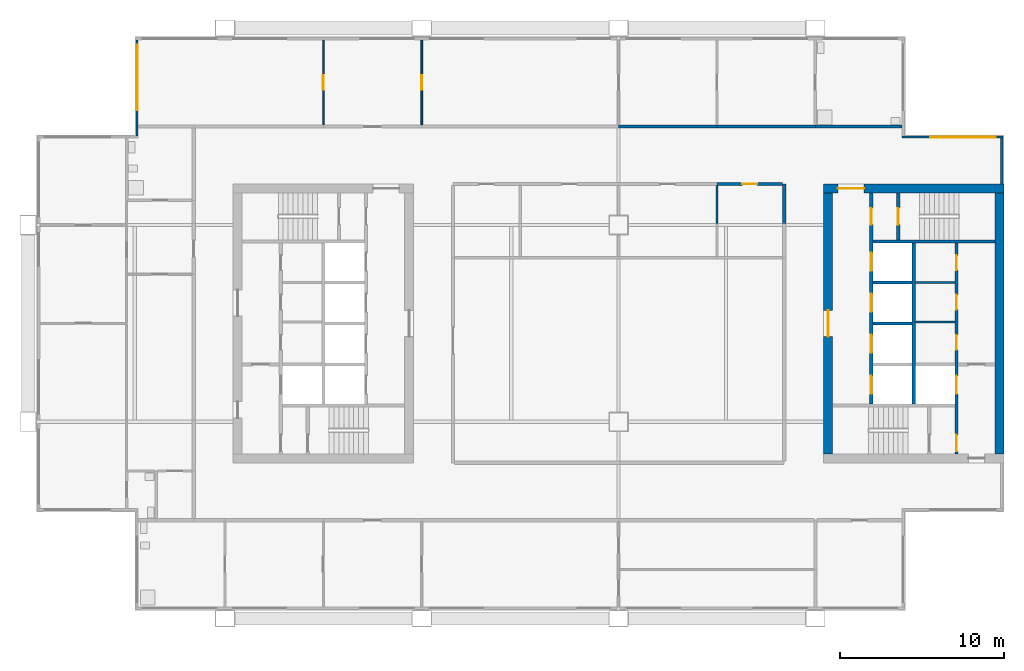
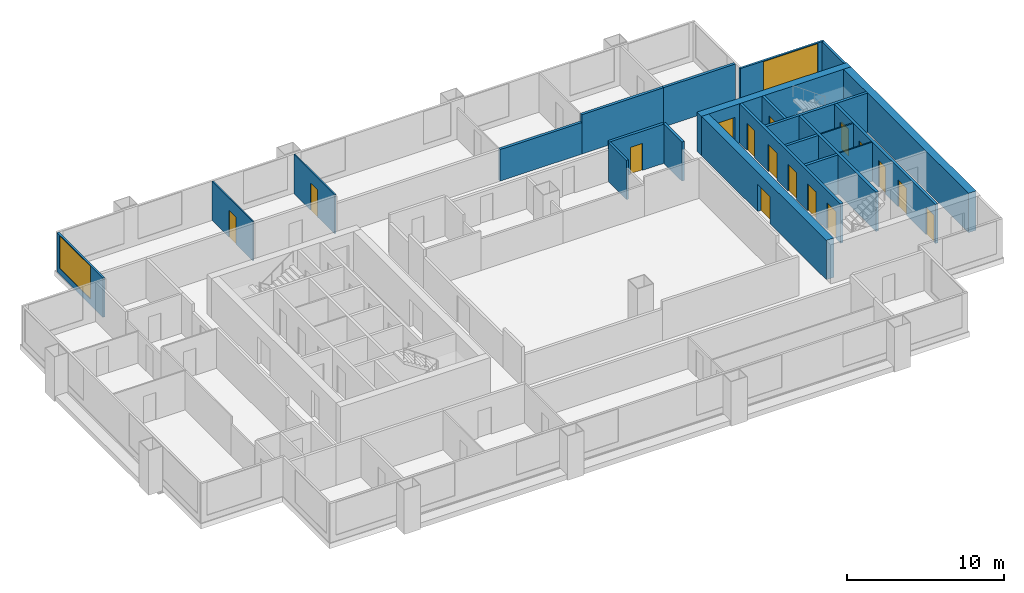
# One storey, part 5 of 8: 23 walls, 16 doors, 2 windows, 18 openings.
"""IFC4 building model written with IfcOpenShell, lengths in metres."""

from ifc_helpers import new_model, si_unit, direction, frame, frame_2d, origin, place, context, subcontext, project, spatial, rectangle, extrude, material, layer, layer_set, type_object, element, fill, save


model = new_model("IFC4")

# Units and contexts
model_context = context("Model", 3, precision=1e-05, world=origin(), true_north=direction((0.0, 1.0)))
body_context = subcontext(model_context, "Body", "Model", "MODEL_VIEW")
ifc_project = project(units=[si_unit("LENGTHUNIT", "METRE"), si_unit("AREAUNIT", "SQUARE_METRE"), si_unit("VOLUMEUNIT", "CUBIC_METRE"), si_unit("PLANEANGLEUNIT", "RADIAN"), si_unit("MASSUNIT", "GRAM", prefix="KILO")], contexts=[model_context])

# Site, building, storey
site_placement = place(None, origin())
site = spatial("IfcSite", under=ifc_project, at=site_placement, CompositionType="ELEMENT")
building_placement = place(site_placement, origin())
building = spatial("IfcBuilding", under=site, at=building_placement, Name="Kitamizu Gate Tower and Museum", CompositionType="ELEMENT")
storey_placement = place(building_placement, frame((0.0, 0.0, 199.64990234375)))
storey = spatial("IfcBuildingStorey", under=building, at=storey_placement, Name="L53", CompositionType="ELEMENT", Elevation=199.64990234375)

# Wall, opening, door
ifc_material_1 = material(Name="Concrete Fc42", Category="concrete")
ifc_layer_1 = layer(ifc_material_1, 0.550048828125)
ifc_layer_set_1 = layer_set([ifc_layer_1], Name="Concrete Fc42")
wall_type_1 = type_object("IfcWallType", Name="Core wall 550", PredefinedType="SHEAR", material=ifc_layer_set_1)
wall_1_placement = place(storey_placement, frame((59.5, 38.22509765625, 0.0), z_axis=(0.0, 0.0, 1.0), x_axis=(-1.0, 0.0, 0.0)))
wall_1 = element("IfcWall", 1, at=wall_1_placement, inside=storey, type_object=wall_type_1, Name="Core wall EN", PredefinedType="SHEAR", context=body_context, shape_type="SweptSolid", body=[
    extrude(rectangle(XDim=11.0, YDim=0.550048828125, at=frame_2d((5.5, 0.0))), origin(), (0.0, 0.0, 1.0), 3.050048828125),
])
opening_1_placement = place(wall_1_placement, frame((8.52490234375, 0.0, 0.0)))
opening_1 = element("IfcOpeningElement", 2, at=opening_1_placement, cuts=wall_1, Name="Opening L53-045", PredefinedType="OPENING", context=body_context, shape_type="SweptSolid", body=[
    extrude(rectangle(XDim=1.60009765625, YDim=2.10009765625, at=frame_2d((0.800048828125, 1.050048828125))), frame((0.0, 0.28515625, 0.0), z_axis=(0.0, -1.0, 0.0), x_axis=(1.0, 0.0, 0.0)), (0.0, 0.0, 1.0), 0.570068359375),
])
ifc_material_2 = material(Name="Timber door set", Category="wood")
door_type_1 = type_object("IfcDoorType", Name="Entrance door 1600", OperationType="DOUBLE_DOOR_SINGLE_SWING", PredefinedType="DOOR", material=ifc_material_2)
door_1_placement = place(opening_1_placement, origin())
door_1 = element("IfcDoor", 3, at=door_1_placement, inside=storey, type_object=door_type_1, Name="Lobby door L53-045", OperationType="DOUBLE_DOOR_SINGLE_SWING", OverallHeight=2.10009765625, OverallWidth=1.60009765625, PredefinedType="DOOR", context=body_context, shape_type="SweptSolid", body=[
    extrude(rectangle(XDim=1.60009765625, YDim=2.10009765625, at=frame_2d((0.800048828125, 1.050048828125))), frame((0.0, 0.02490234375, 0.0), z_axis=(0.0, -1.0, 0.0), x_axis=(1.0, 0.0, 0.0)), (0.0, 0.0, 1.0), 0.050048828125),
])
fill(opening_1, door_1)

# Wall
wall_2_placement = place(storey_placement, frame((59.22509765625, 22.050048828125, 0.0), z_axis=(0.0, 0.0, 1.0), x_axis=(0.0, 1.0, 0.0)))
element("IfcWall", 4, at=wall_2_placement, inside=storey, type_object=wall_type_1, Name="Core wall EOUT", PredefinedType="SHEAR", context=body_context, shape_type="SweptSolid", body=[
    extrude(rectangle(XDim=15.89990234375, YDim=0.550048828125, at=frame_2d((7.949951171875, 0.0))), origin(), (0.0, 0.0, 1.0), 3.050048828125),
])

# Wall, opening, door
wall_3_placement = place(storey_placement, frame((48.77490234375, 22.050048828125, 0.0), z_axis=(0.0, 0.0, 1.0), x_axis=(0.0, 1.0, 0.0)))
wall_3 = element("IfcWall", 5, at=wall_3_placement, inside=storey, type_object=wall_type_1, Name="Core wall EARC", PredefinedType="SHEAR", context=body_context, shape_type="SweptSolid", body=[
    extrude(rectangle(XDim=15.89990234375, YDim=0.550048828125, at=frame_2d((7.949951171875, 0.0))), origin(), (0.0, 0.0, 1.0), 3.050048828125),
])
opening_2_placement = place(wall_3_placement, frame((7.14990234375, 0.0, 0.0)))
opening_2 = element("IfcOpeningElement", 6, at=opening_2_placement, cuts=wall_3, Name="Opening L53-046", PredefinedType="OPENING", context=body_context, shape_type="SweptSolid", body=[
    extrude(rectangle(XDim=1.60009765625, YDim=2.10009765625, at=frame_2d((0.800048828125, 1.050048828125))), frame((0.0, 0.28515625, 0.0), z_axis=(0.0, -1.0, 0.0), x_axis=(1.0, 0.0, 0.0)), (0.0, 0.0, 1.0), 0.570068359375),
])
door_2_placement = place(opening_2_placement, origin())
door_2 = element("IfcDoor", 7, at=door_2_placement, inside=storey, type_object=door_type_1, Name="Lobby door L53-046", OperationType="DOUBLE_DOOR_SINGLE_SWING", OverallHeight=2.10009765625, OverallWidth=1.60009765625, PredefinedType="DOOR", context=body_context, shape_type="SweptSolid", body=[
    extrude(rectangle(XDim=1.60009765625, YDim=2.10009765625, at=frame_2d((0.800048828125, 1.050048828125))), frame((0.0, 0.02490234375, 0.0), z_axis=(0.0, -1.0, 0.0), x_axis=(1.0, 0.0, 0.0)), (0.0, 0.0, 1.0), 0.050048828125),
])
fill(opening_2, door_2)

# Walls
ifc_material_3 = material(Name="Gypsum board on galvanised stud")
ifc_layer_2 = layer(ifc_material_3, 0.10009765625)
ifc_layer_set_2 = layer_set([ifc_layer_2], Name="Gypsum board on galvanised stud")
wall_type_2 = type_object("IfcWallType", Name="Partition 100", PredefinedType="PARTITIONING", material=ifc_layer_set_2)
for number, where, z_axis, x_axis, name in (
    (8, (56.5, 30.08203125, 0.0), (0.0, 0.0, 1.0), (-1.0, 0.0, 0.0), "Partition EPF1"),
    (9, (56.5, 32.490966796875, 0.0), (0.0, 0.0, 1.0), (-1.0, 0.0, 0.0), "Partition EPF2"),
):
    element("IfcWall", number, at=place(storey_placement, frame(where, z_axis=z_axis, x_axis=x_axis)), inside=storey, type_object=wall_type_2, Name=name, PredefinedType="PARTITIONING", context=body_context, shape_type="SweptSolid", body=[
        extrude(rectangle(XDim=2.39990234375, YDim=0.10009765625, at=frame_2d((1.199951171875, 0.0))), origin(), (0.0, 0.0, 1.0), 3.050048828125),
    ])

# Wall, opening, door
ifc_material_4 = material(Name="Gypsum board on galvanised stud")
ifc_layer_3 = layer(ifc_material_4, 0.10009765625)
ifc_layer_set_3 = layer_set([ifc_layer_3], Name="Gypsum board on galvanised stud")
wall_type_3 = type_object("IfcWallType", Name="Partition 100 NOT RATED", PredefinedType="PARTITIONING", material=ifc_layer_set_3)
wall_4_placement = place(storey_placement, frame((18.0, 42.10009765625, 0.0), z_axis=(0.0, 0.0, 1.0), x_axis=(0.0, 1.0, 0.0)))
wall_4 = element("IfcWall", 10, at=wall_4_placement, inside=storey, type_object=wall_type_3, Name="Partition L53-017", PredefinedType="PARTITIONING", context=body_context, shape_type="SweptSolid", body=[
    extrude(rectangle(XDim=5.179931640625, YDim=0.10009765625, at=frame_2d((2.58984375, 0.0))), origin(), (0.0, 0.0, 1.0), 3.050048828125),
])
opening_3_placement = place(wall_4_placement, frame((2.139892578125, 0.0, 0.0)))
opening_3 = element("IfcOpeningElement", 11, at=opening_3_placement, cuts=wall_4, Name="Opening L53-010", PredefinedType="OPENING", context=body_context, shape_type="SweptSolid", body=[
    extrude(rectangle(XDim=0.89990234375, YDim=2.10009765625, at=frame_2d((0.449951171875, 1.050048828125))), frame((0.0, 0.06005859375, 0.0), z_axis=(0.0, -1.0, 0.0), x_axis=(1.0, 0.0, 0.0)), (0.0, 0.0, 1.0), 0.1201171875),
])
ifc_material_5 = material(Name="Timber door set", Category="wood")
door_type_2 = type_object("IfcDoorType", Name="Room door 900", OperationType="NOTDEFINED", PredefinedType="DOOR", material=ifc_material_5)
door_3_placement = place(opening_3_placement, origin())
door_3 = element("IfcDoor", 12, at=door_3_placement, inside=storey, type_object=door_type_2, Name="Door L53-010", OperationType="SINGLE_SWING_LEFT", OverallHeight=2.10009765625, OverallWidth=0.89990234375, PredefinedType="DOOR", context=body_context, shape_type="SweptSolid", body=[
    extrude(rectangle(XDim=0.89990234375, YDim=2.10009765625, at=frame_2d((0.449951171875, 1.050048828125))), frame((0.0, 0.02490234375, 0.0), z_axis=(0.0, -1.0, 0.0), x_axis=(1.0, 0.0, 0.0)), (0.0, 0.0, 1.0), 0.050048828125),
])
fill(opening_3, door_3)

wall_5_placement = place(storey_placement, frame((24.0, 42.10009765625, 0.0), z_axis=(0.0, 0.0, 1.0), x_axis=(0.0, 1.0, 0.0)))
wall_5 = element("IfcWall", 13, at=wall_5_placement, inside=storey, type_object=wall_type_3, Name="Partition L53-020", PredefinedType="PARTITIONING", context=body_context, shape_type="SweptSolid", body=[
    extrude(rectangle(XDim=5.179931640625, YDim=0.10009765625, at=frame_2d((2.58984375, 0.0))), origin(), (0.0, 0.0, 1.0), 3.050048828125),
])
opening_4_placement = place(wall_5_placement, frame((2.139892578125, 0.0, 0.0)))
opening_4 = element("IfcOpeningElement", 14, at=opening_4_placement, cuts=wall_5, Name="Opening L53-008", PredefinedType="OPENING", context=body_context, shape_type="SweptSolid", body=[
    extrude(rectangle(XDim=0.89990234375, YDim=2.10009765625, at=frame_2d((0.449951171875, 1.050048828125))), frame((0.0, 0.06005859375, 0.0), z_axis=(0.0, -1.0, 0.0), x_axis=(1.0, 0.0, 0.0)), (0.0, 0.0, 1.0), 0.1201171875),
])
door_4_placement = place(opening_4_placement, frame((0.89990234375, 0.0, 0.0), x_axis=(-1.0, 0.0, 0.0)))
door_4 = element("IfcDoor", 15, at=door_4_placement, inside=storey, type_object=door_type_2, Name="Door L53-008", OperationType="SINGLE_SWING_RIGHT", OverallHeight=2.10009765625, OverallWidth=0.89990234375, PredefinedType="DOOR", context=body_context, shape_type="SweptSolid", body=[
    extrude(rectangle(XDim=0.89990234375, YDim=2.10009765625, at=frame_2d((0.449951171875, 1.050048828125))), frame((0.0, 0.02490234375, 0.0), z_axis=(0.0, -1.0, 0.0), x_axis=(1.0, 0.0, 0.0)), (0.0, 0.0, 1.0), 0.050048828125),
])
fill(opening_4, door_4)

# Walls
ifc_material_6 = material(Name="Gypsum board on galvanised stud")
ifc_layer_4 = layer(ifc_material_6, 0.14990234375)
ifc_layer_set_4 = layer_set([ifc_layer_4], Name="Gypsum board on galvanised stud")
wall_type_4 = type_object("IfcWallType", Name="Partition 150", PredefinedType="PARTITIONING", material=ifc_layer_set_4)
wall_6_placement = place(storey_placement, frame((42.0, 36.10009765625, 0.0), z_axis=(0.0, 0.0, 1.0), x_axis=(0.0, 1.0, 0.0)))
element("IfcWall", 16, at=wall_6_placement, inside=storey, type_object=wall_type_4, Name="Partition L53-072", PredefinedType="PARTITIONING", context=body_context, shape_type="SweptSolid", body=[
    extrude(rectangle(XDim=2.2998046875, YDim=0.14990234375, at=frame_2d((1.14990234375, 0.0))), origin(), (0.0, 0.0, 1.0), 3.050048828125),
])
ifc_material_7 = material(Name="Gypsum board on galvanised stud")
ifc_layer_5 = layer(ifc_material_7, 0.199951171875)
ifc_layer_set_5 = layer_set([ifc_layer_5], Name="Gypsum board on galvanised stud")
wall_type_5 = type_object("IfcWallType", Name="Partition 200", PredefinedType="PARTITIONING", material=ifc_layer_set_5)
wall_7_placement = place(storey_placement, frame((36.0, 42.0, 0.0), z_axis=(0.0, 0.0, 1.0), x_axis=(1.0, 0.0, 0.0)))
element("IfcWall", 17, at=wall_7_placement, inside=storey, type_object=wall_type_5, Name="Partition L53-025", PredefinedType="PARTITIONING", context=body_context, shape_type="SweptSolid", body=[
    extrude(rectangle(XDim=6.0, YDim=0.199951171875, at=frame_2d((3.0, 0.0))), origin(), (0.0, 0.0, 1.0), 2.4501953125),
])
wall_8_placement = place(storey_placement, frame((42.0, 42.0, 0.0), z_axis=(0.0, 0.0, 1.0), x_axis=(1.0, 0.0, 0.0)))
element("IfcWall", 18, at=wall_8_placement, inside=storey, type_object=wall_type_5, Name="Partition L53-027", PredefinedType="PARTITIONING", context=body_context, shape_type="SweptSolid", body=[
    extrude(rectangle(XDim=6.0, YDim=0.199951171875, at=frame_2d((3.0, 0.0))), origin(), (0.0, 0.0, 1.0), 3.050048828125),
])
wall_9_placement = place(storey_placement, frame((48.0, 42.0, 0.0), z_axis=(0.0, 0.0, 1.0), x_axis=(1.0, 0.0, 0.0)))
element("IfcWall", 19, at=wall_9_placement, inside=storey, type_object=wall_type_5, Name="Partition L53-028", PredefinedType="PARTITIONING", context=body_context, shape_type="SweptSolid", body=[
    extrude(rectangle(XDim=5.280029296875, YDim=0.199951171875, at=frame_2d((2.64013671875, 0.0))), origin(), (0.0, 0.0, 1.0), 3.050048828125),
])
wall_10_placement = place(storey_placement, frame((46.10009765625, 36.10009765625, 0.0), z_axis=(0.0, 0.0, 1.0), x_axis=(0.0, 1.0, 0.0)))
element("IfcWall", 20, at=wall_10_placement, inside=storey, type_object=wall_type_5, Name="Partition L53-061", PredefinedType="PARTITIONING", context=body_context, shape_type="SweptSolid", body=[
    extrude(rectangle(XDim=2.39990234375, YDim=0.199951171875, at=frame_2d((1.199951171875, 0.0))), origin(), (0.0, 0.0, 1.0), 3.050048828125),
])

# Wall, opening, door
wall_11_placement = place(storey_placement, frame((46.0, 38.5, 0.0), z_axis=(0.0, 0.0, 1.0), x_axis=(-1.0, 0.0, 0.0)))
wall_11 = element("IfcWall", 21, at=wall_11_placement, inside=storey, type_object=wall_type_5, Name="Partition L53-062", PredefinedType="PARTITIONING", context=body_context, shape_type="SweptSolid", body=[
    extrude(rectangle(XDim=4.0, YDim=0.199951171875, at=frame_2d((2.0, 0.0))), origin(), (0.0, 0.0, 1.0), 3.050048828125),
])
opening_5_placement = place(wall_11_placement, frame((1.550048828125, 0.0, 0.0)))
opening_5 = element("IfcOpeningElement", 22, at=opening_5_placement, cuts=wall_11, Name="Opening L53-026", PredefinedType="OPENING", context=body_context, shape_type="SweptSolid", body=[
    extrude(rectangle(XDim=0.89990234375, YDim=2.10009765625, at=frame_2d((0.449951171875, 1.050048828125))), frame((0.0, 0.10986328125, 0.0), z_axis=(0.0, -1.0, 0.0), x_axis=(1.0, 0.0, 0.0)), (0.0, 0.0, 1.0), 0.219970703125),
])
door_5_placement = place(opening_5_placement, origin())
door_5 = element("IfcDoor", 23, at=door_5_placement, inside=storey, type_object=door_type_2, Name="Door L53-026", OperationType="SINGLE_SWING_RIGHT", OverallHeight=2.10009765625, OverallWidth=0.89990234375, PredefinedType="DOOR", context=body_context, shape_type="SweptSolid", body=[
    extrude(rectangle(XDim=0.89990234375, YDim=2.10009765625, at=frame_2d((0.449951171875, 1.050048828125))), frame((0.0, 0.02490234375, 0.0), z_axis=(0.0, -1.0, 0.0), x_axis=(1.0, 0.0, 0.0)), (0.0, 0.0, 1.0), 0.050048828125),
])
fill(opening_5, door_5)

# Wall, openings, doors
ifc_material_8 = material(Name="Concrete Fc42", Category="concrete")
ifc_layer_6 = layer(ifc_material_8, 0.199951171875)
ifc_layer_set_6 = layer_set([ifc_layer_6], Name="Concrete Fc42")
wall_type_6 = type_object("IfcWallType", Name="Shaft wall 200", PredefinedType="SOLIDWALL", material=ifc_layer_set_6)
wall_12_placement = place(storey_placement, frame((56.60009765625, 22.050048828125, 0.0), z_axis=(0.0, 0.0, 1.0), x_axis=(0.0, 1.0, 0.0)))
wall_12 = element("IfcWall", 24, at=wall_12_placement, inside=storey, type_object=wall_type_6, Name="Shaft wall EWEST", PredefinedType="SOLIDWALL", context=body_context, shape_type="SweptSolid", body=[
    extrude(rectangle(XDim=12.849853515625, YDim=0.199951171875, at=frame_2d((6.4248046875, 0.0))), origin(), (0.0, 0.0, 1.0), 3.050048828125),
])
opening_6_placement = place(wall_12_placement, frame((3.64990234375, 0.0, 0.0)))
opening_6 = element("IfcOpeningElement", 25, at=opening_6_placement, cuts=wall_12, Name="Opening LD", PredefinedType="OPENING", context=body_context, shape_type="SweptSolid", body=[
    extrude(rectangle(XDim=1.10009765625, YDim=2.10009765625, at=frame_2d((0.550048828125, 1.050048828125))), frame((0.0, 0.10986328125, 0.0), z_axis=(0.0, -1.0, 0.0), x_axis=(1.0, 0.0, 0.0)), (0.0, 0.0, 1.0), 0.219970703125),
])
opening_7_placement = place(wall_12_placement, frame((0.14990234375, 0.0, 0.0)))
opening_7 = element("IfcOpeningElement", 26, at=opening_7_placement, cuts=wall_12, Name="Opening L53-040", PredefinedType="OPENING", context=body_context, shape_type="SweptSolid", body=[
    extrude(rectangle(XDim=1.0, YDim=2.10009765625, at=frame_2d((0.5, 1.050048828125))), frame((0.0, 0.10986328125, 0.0), z_axis=(0.0, -1.0, 0.0), x_axis=(1.0, 0.0, 0.0)), (0.0, 0.0, 1.0), 0.219970703125),
])
opening_8_placement = place(wall_12_placement, frame((6.341064453125, 0.0, 0.0)))
opening_8 = element("IfcOpeningElement", 27, at=opening_8_placement, cuts=wall_12, Name="Opening L53-047", PredefinedType="OPENING", context=body_context, shape_type="SweptSolid", body=[
    extrude(rectangle(XDim=0.89990234375, YDim=2.10009765625, at=frame_2d((0.449951171875, 1.050048828125))), frame((0.0, 0.10986328125, 0.0), z_axis=(0.0, -1.0, 0.0), x_axis=(1.0, 0.0, 0.0)), (0.0, 0.0, 1.0), 0.219970703125),
])
opening_9_placement = place(wall_12_placement, frame((8.78662109375, 0.0, 0.0)))
opening_9 = element("IfcOpeningElement", 28, at=opening_9_placement, cuts=wall_12, Name="Opening L53-048", PredefinedType="OPENING", context=body_context, shape_type="SweptSolid", body=[
    extrude(rectangle(XDim=0.89990234375, YDim=2.10009765625, at=frame_2d((0.449951171875, 1.050048828125))), frame((0.0, 0.10986328125, 0.0), z_axis=(0.0, -1.0, 0.0), x_axis=(1.0, 0.0, 0.0)), (0.0, 0.0, 1.0), 0.219970703125),
])
opening_10_placement = place(wall_12_placement, frame((11.195556640625, 0.0, 0.0)))
opening_10 = element("IfcOpeningElement", 29, at=opening_10_placement, cuts=wall_12, Name="Opening L53-049", PredefinedType="OPENING", context=body_context, shape_type="SweptSolid", body=[
    extrude(rectangle(XDim=0.89990234375, YDim=2.10009765625, at=frame_2d((0.449951171875, 1.050048828125))), frame((0.0, 0.10986328125, 0.0), z_axis=(0.0, -1.0, 0.0), x_axis=(1.0, 0.0, 0.0)), (0.0, 0.0, 1.0), 0.219970703125),
])
ifc_material_9 = material(Name="Hollow metal door set")
door_type_3 = type_object("IfcDoorType", Name="Fire door 1000", OperationType="NOTDEFINED", PredefinedType="DOOR", material=ifc_material_9)
door_6_placement = place(opening_7_placement, origin())
door_6 = element("IfcDoor", 30, at=door_6_placement, inside=storey, type_object=door_type_3, Name="Stair lobby door L53-040", OperationType="SINGLE_SWING_RIGHT", OverallHeight=2.10009765625, OverallWidth=1.0, PredefinedType="DOOR", context=body_context, shape_type="SweptSolid", body=[
    extrude(rectangle(XDim=1.0, YDim=2.10009765625, at=frame_2d((0.5, 1.050048828125))), frame((0.0, 0.02490234375, 0.0), z_axis=(0.0, -1.0, 0.0), x_axis=(1.0, 0.0, 0.0)), (0.0, 0.0, 1.0), 0.050048828125),
])
fill(opening_7, door_6)
ifc_material_10 = material(Name="Hollow metal door set")
door_type_4 = type_object("IfcDoorType", Name="Landing door 1100", OperationType="SLIDING_TO_LEFT", PredefinedType="DOOR", material=ifc_material_10)
door_7_placement = place(opening_6_placement, origin())
door_7 = element("IfcDoor", 31, at=door_7_placement, inside=storey, type_object=door_type_4, Name="Landing door EFF1", OperationType="SLIDING_TO_LEFT", OverallHeight=2.10009765625, OverallWidth=1.10009765625, PredefinedType="DOOR", context=body_context, shape_type="SweptSolid", body=[
    extrude(rectangle(XDim=1.10009765625, YDim=2.10009765625, at=frame_2d((0.550048828125, 1.050048828125))), frame((0.0, 0.02490234375, 0.0), z_axis=(0.0, -1.0, 0.0), x_axis=(1.0, 0.0, 0.0)), (0.0, 0.0, 1.0), 0.050048828125),
])
fill(opening_6, door_7)
ifc_material_11 = material(Name="Timber door set", Category="wood")
door_type_5 = type_object("IfcDoorType", Name="Service door 900", OperationType="NOTDEFINED", PredefinedType="DOOR", material=ifc_material_11)
door_8_placement = place(opening_8_placement, origin())
door_8 = element("IfcDoor", 32, at=door_8_placement, inside=storey, type_object=door_type_5, Name="Service door L53-047", OperationType="SINGLE_SWING_RIGHT", OverallHeight=2.10009765625, OverallWidth=0.89990234375, PredefinedType="DOOR", context=body_context, shape_type="SweptSolid", body=[
    extrude(rectangle(XDim=0.89990234375, YDim=2.10009765625, at=frame_2d((0.449951171875, 1.050048828125))), frame((0.0, 0.02490234375, 0.0), z_axis=(0.0, -1.0, 0.0), x_axis=(1.0, 0.0, 0.0)), (0.0, 0.0, 1.0), 0.050048828125),
])
fill(opening_8, door_8)
door_9_placement = place(opening_9_placement, origin())
door_9 = element("IfcDoor", 33, at=door_9_placement, inside=storey, type_object=door_type_5, Name="Service door L53-048", OperationType="SINGLE_SWING_LEFT", OverallHeight=2.10009765625, OverallWidth=0.89990234375, PredefinedType="DOOR", context=body_context, shape_type="SweptSolid", body=[
    extrude(rectangle(XDim=0.89990234375, YDim=2.10009765625, at=frame_2d((0.449951171875, 1.050048828125))), frame((0.0, 0.02490234375, 0.0), z_axis=(0.0, -1.0, 0.0), x_axis=(1.0, 0.0, 0.0)), (0.0, 0.0, 1.0), 0.050048828125),
])
fill(opening_9, door_9)
door_10_placement = place(opening_10_placement, origin())
door_10 = element("IfcDoor", 34, at=door_10_placement, inside=storey, type_object=door_type_5, Name="Service door L53-049", OperationType="SINGLE_SWING_RIGHT", OverallHeight=2.10009765625, OverallWidth=0.89990234375, PredefinedType="DOOR", context=body_context, shape_type="SweptSolid", body=[
    extrude(rectangle(XDim=0.89990234375, YDim=2.10009765625, at=frame_2d((0.449951171875, 1.050048828125))), frame((0.0, 0.02490234375, 0.0), z_axis=(0.0, -1.0, 0.0), x_axis=(1.0, 0.0, 0.0)), (0.0, 0.0, 1.0), 0.050048828125),
])
fill(opening_10, door_10)

wall_13_placement = place(storey_placement, frame((51.39990234375, 25.10009765625, 0.0), z_axis=(0.0, 0.0, 1.0), x_axis=(0.0, 1.0, 0.0)))
wall_13 = element("IfcWall", 35, at=wall_13_placement, inside=storey, type_object=wall_type_6, Name="Shaft wall EEAST", PredefinedType="SOLIDWALL", context=body_context, shape_type="SweptSolid", body=[
    extrude(rectangle(XDim=12.849853515625, YDim=0.199951171875, at=frame_2d((6.4248046875, 0.0))), origin(), (0.0, 0.0, 1.0), 3.050048828125),
])
opening_11_placement = place(wall_13_placement, frame((0.60009765625, 0.0, 0.0)))
opening_11 = element("IfcOpeningElement", 36, at=opening_11_placement, cuts=wall_13, Name="Opening LD", PredefinedType="OPENING", context=body_context, shape_type="SweptSolid", body=[
    extrude(rectangle(XDim=1.10009765625, YDim=2.10009765625, at=frame_2d((0.550048828125, 1.050048828125))), frame((0.0, 0.10986328125, 0.0), z_axis=(0.0, -1.0, 0.0), x_axis=(1.0, 0.0, 0.0)), (0.0, 0.0, 1.0), 0.219970703125),
])
opening_12_placement = place(wall_13_placement, frame((3.10009765625, 0.0, 0.0)))
opening_12 = element("IfcOpeningElement", 37, at=opening_12_placement, cuts=wall_13, Name="Opening LD", PredefinedType="OPENING", context=body_context, shape_type="SweptSolid", body=[
    extrude(rectangle(XDim=1.10009765625, YDim=2.10009765625, at=frame_2d((0.550048828125, 1.050048828125))), frame((0.0, 0.10986328125, 0.0), z_axis=(0.0, -1.0, 0.0), x_axis=(1.0, 0.0, 0.0)), (0.0, 0.0, 1.0), 0.219970703125),
])
opening_13_placement = place(wall_13_placement, frame((5.60009765625, 0.0, 0.0)))
opening_13 = element("IfcOpeningElement", 38, at=opening_13_placement, cuts=wall_13, Name="Opening LD", PredefinedType="OPENING", context=body_context, shape_type="SweptSolid", body=[
    extrude(rectangle(XDim=1.10009765625, YDim=2.10009765625, at=frame_2d((0.550048828125, 1.050048828125))), frame((0.0, 0.10986328125, 0.0), z_axis=(0.0, -1.0, 0.0), x_axis=(1.0, 0.0, 0.0)), (0.0, 0.0, 1.0), 0.219970703125),
])
opening_14_placement = place(wall_13_placement, frame((8.10009765625, 0.0, 0.0)))
opening_14 = element("IfcOpeningElement", 39, at=opening_14_placement, cuts=wall_13, Name="Opening LD", PredefinedType="OPENING", context=body_context, shape_type="SweptSolid", body=[
    extrude(rectangle(XDim=1.10009765625, YDim=2.10009765625, at=frame_2d((0.550048828125, 1.050048828125))), frame((0.0, 0.10986328125, 0.0), z_axis=(0.0, -1.0, 0.0), x_axis=(1.0, 0.0, 0.0)), (0.0, 0.0, 1.0), 0.219970703125),
])
opening_15_placement = place(wall_13_placement, frame((10.925048828125, 0.0, 0.0)))
opening_15 = element("IfcOpeningElement", 40, at=opening_15_placement, cuts=wall_13, Name="Opening L53-041", PredefinedType="OPENING", context=body_context, shape_type="SweptSolid", body=[
    extrude(rectangle(XDim=1.0, YDim=2.10009765625, at=frame_2d((0.5, 1.050048828125))), frame((0.0, 0.10986328125, 0.0), z_axis=(0.0, -1.0, 0.0), x_axis=(1.0, 0.0, 0.0)), (0.0, 0.0, 1.0), 0.219970703125),
])
door_11_placement = place(opening_15_placement, frame((1.0, 0.0, 0.0), x_axis=(-1.0, 0.0, 0.0)))
door_11 = element("IfcDoor", 41, at=door_11_placement, inside=storey, type_object=door_type_3, Name="Stair lobby door L53-041", OperationType="SINGLE_SWING_LEFT", OverallHeight=2.10009765625, OverallWidth=1.0, PredefinedType="DOOR", context=body_context, shape_type="SweptSolid", body=[
    extrude(rectangle(XDim=1.0, YDim=2.10009765625, at=frame_2d((0.5, 1.050048828125))), frame((0.0, 0.02490234375, 0.0), z_axis=(0.0, -1.0, 0.0), x_axis=(1.0, 0.0, 0.0)), (0.0, 0.0, 1.0), 0.050048828125),
])
fill(opening_15, door_11)
door_12_placement = place(opening_11_placement, origin())
door_12 = element("IfcDoor", 42, at=door_12_placement, inside=storey, type_object=door_type_4, Name="Landing door ESV1", OperationType="SLIDING_TO_LEFT", OverallHeight=2.10009765625, OverallWidth=1.10009765625, PredefinedType="DOOR", context=body_context, shape_type="SweptSolid", body=[
    extrude(rectangle(XDim=1.10009765625, YDim=2.10009765625, at=frame_2d((0.550048828125, 1.050048828125))), frame((0.0, 0.02490234375, 0.0), z_axis=(0.0, -1.0, 0.0), x_axis=(1.0, 0.0, 0.0)), (0.0, 0.0, 1.0), 0.050048828125),
])
fill(opening_11, door_12)
door_13_placement = place(opening_12_placement, origin())
door_13 = element("IfcDoor", 43, at=door_13_placement, inside=storey, type_object=door_type_4, Name="Landing door EH1", OperationType="SLIDING_TO_LEFT", OverallHeight=2.10009765625, OverallWidth=1.10009765625, PredefinedType="DOOR", context=body_context, shape_type="SweptSolid", body=[
    extrude(rectangle(XDim=1.10009765625, YDim=2.10009765625, at=frame_2d((0.550048828125, 1.050048828125))), frame((0.0, 0.02490234375, 0.0), z_axis=(0.0, -1.0, 0.0), x_axis=(1.0, 0.0, 0.0)), (0.0, 0.0, 1.0), 0.050048828125),
])
fill(opening_12, door_13)
door_14_placement = place(opening_13_placement, origin())
door_14 = element("IfcDoor", 44, at=door_14_placement, inside=storey, type_object=door_type_4, Name="Landing door EH2", OperationType="SLIDING_TO_LEFT", OverallHeight=2.10009765625, OverallWidth=1.10009765625, PredefinedType="DOOR", context=body_context, shape_type="SweptSolid", body=[
    extrude(rectangle(XDim=1.10009765625, YDim=2.10009765625, at=frame_2d((0.550048828125, 1.050048828125))), frame((0.0, 0.02490234375, 0.0), z_axis=(0.0, -1.0, 0.0), x_axis=(1.0, 0.0, 0.0)), (0.0, 0.0, 1.0), 0.050048828125),
])
fill(opening_13, door_14)
door_15_placement = place(opening_14_placement, origin())
door_15 = element("IfcDoor", 45, at=door_15_placement, inside=storey, type_object=door_type_4, Name="Landing door EH3", OperationType="SLIDING_TO_LEFT", OverallHeight=2.10009765625, OverallWidth=1.10009765625, PredefinedType="DOOR", context=body_context, shape_type="SweptSolid", body=[
    extrude(rectangle(XDim=1.10009765625, YDim=2.10009765625, at=frame_2d((0.550048828125, 1.050048828125))), frame((0.0, 0.02490234375, 0.0), z_axis=(0.0, -1.0, 0.0), x_axis=(1.0, 0.0, 0.0)), (0.0, 0.0, 1.0), 0.050048828125),
])
fill(opening_14, door_15)

# Walls
wall_14_placement = place(storey_placement, frame((54.0, 25.10009765625, 0.0), z_axis=(0.0, 0.0, 1.0), x_axis=(0.0, 1.0, 0.0)))
element("IfcWall", 46, at=wall_14_placement, inside=storey, type_object=wall_type_6, Name="Shaft wall EMID", PredefinedType="SOLIDWALL", context=body_context, shape_type="SweptSolid", body=[
    extrude(rectangle(XDim=9.7998046875, YDim=0.199951171875, at=frame_2d((4.89990234375, 0.0))), origin(), (0.0, 0.0, 1.0), 3.050048828125),
])
wall_15_placement = place(storey_placement, frame((58.949951171875, 35.0, 0.0), z_axis=(0.0, 0.0, 1.0), x_axis=(-1.0, 0.0, 0.0)))
element("IfcWall", 47, at=wall_15_placement, inside=storey, type_object=wall_type_6, Name="Shaft wall ENB", PredefinedType="SOLIDWALL", context=body_context, shape_type="SweptSolid", body=[
    extrude(rectangle(XDim=7.449951171875, YDim=0.199951171875, at=frame_2d((3.72509765625, 0.0))), origin(), (0.0, 0.0, 1.0), 3.050048828125),
])

# Wall, opening, door
wall_16_placement = place(storey_placement, frame((53.050048828125, 35.10009765625, 0.0), z_axis=(0.0, 0.0, 1.0), x_axis=(0.0, 1.0, 0.0)))
wall_16 = element("IfcWall", 48, at=wall_16_placement, inside=storey, type_object=wall_type_6, Name="Shaft wall ENZ", PredefinedType="SOLIDWALL", context=body_context, shape_type="SweptSolid", body=[
    extrude(rectangle(XDim=2.849853515625, YDim=0.199951171875, at=frame_2d((1.4248046875, 0.0))), origin(), (0.0, 0.0, 1.0), 3.050048828125),
])
opening_16_placement = place(wall_16_placement, frame((0.925048828125, 0.0, 0.0)))
opening_16 = element("IfcOpeningElement", 49, at=opening_16_placement, cuts=wall_16, Name="Opening L53-042", PredefinedType="OPENING", context=body_context, shape_type="SweptSolid", body=[
    extrude(rectangle(XDim=1.0, YDim=2.10009765625, at=frame_2d((0.5, 1.050048828125))), frame((0.0, 0.10986328125, 0.0), z_axis=(0.0, -1.0, 0.0), x_axis=(1.0, 0.0, 0.0)), (0.0, 0.0, 1.0), 0.219970703125),
])
door_16_placement = place(opening_16_placement, frame((1.0, 0.0, 0.0), x_axis=(-1.0, 0.0, 0.0)))
door_16 = element("IfcDoor", 50, at=door_16_placement, inside=storey, type_object=door_type_3, Name="Stair door L53-042", OperationType="SINGLE_SWING_RIGHT", OverallHeight=2.10009765625, OverallWidth=1.0, PredefinedType="DOOR", context=body_context, shape_type="SweptSolid", body=[
    extrude(rectangle(XDim=1.0, YDim=2.10009765625, at=frame_2d((0.5, 1.050048828125))), frame((0.0, 0.02490234375, 0.0), z_axis=(0.0, -1.0, 0.0), x_axis=(1.0, 0.0, 0.0)), (0.0, 0.0, 1.0), 0.050048828125),
])
fill(opening_16, door_16)

# Walls
for number, where, z_axis, x_axis, name in (
    (51, (53.89990234375, 30.0, 0.0), (0.0, 0.0, 1.0), (-1.0, 0.0, 0.0), "Shaft wall EDVE1"),
    (52, (53.89990234375, 32.5, 0.0), (0.0, 0.0, 1.0), (-1.0, 0.0, 0.0), "Shaft wall EDVE2"),
):
    element("IfcWall", number, at=place(storey_placement, frame(where, z_axis=z_axis, x_axis=x_axis)), inside=storey, type_object=wall_type_6, Name=name, PredefinedType="SOLIDWALL", context=body_context, shape_type="SweptSolid", body=[
        extrude(rectangle(XDim=2.39990234375, YDim=0.199951171875, at=frame_2d((1.199951171875, 0.0))), origin(), (0.0, 0.0, 1.0), 3.050048828125),
    ])
ifc_material_12 = material(Name="Bronze anodised aluminium frame with insulated spandrel and tinted glass", Category="aluminium")
ifc_layer_7 = layer(ifc_material_12, 0.14990234375)
ifc_layer_set_7 = layer_set([ifc_layer_7], Name="Bronze anodised aluminium frame with insulated spandrel and tinted glass")
wall_type_7 = type_object("IfcWallType", Name="WINDOW WALL 150 BRONZE FRAME EI 30", PredefinedType="ELEMENTEDWALL", material=ifc_layer_set_7)
wall_17_placement = place(storey_placement, frame((59.364990234375, 38.5, 0.0), z_axis=(0.0, 0.0, 1.0), x_axis=(0.0, 1.0, 0.0)))
element("IfcWall", 53, at=wall_17_placement, inside=storey, type_object=wall_type_7, Name="Window wall east L53", PredefinedType="ELEMENTEDWALL", context=body_context, shape_type="SweptSolid", body=[
    extrude(rectangle(XDim=2.7900390625, YDim=0.14990234375, at=frame_2d((1.39501953125, 0.0))), origin(), (0.0, 0.0, 1.0), 3.050048828125),
])

# Wall, opening, window
wall_18_placement = place(storey_placement, frame((53.2900390625, 41.364990234375, 0.0), z_axis=(0.0, 0.0, 1.0), x_axis=(1.0, 0.0, 0.0)))
wall_18 = element("IfcWall", 54, at=wall_18_placement, inside=storey, type_object=wall_type_7, Name="Window wall north L53", PredefinedType="ELEMENTEDWALL", context=body_context, shape_type="SweptSolid", body=[
    extrude(rectangle(XDim=6.14990234375, YDim=0.14990234375, at=frame_2d((3.074951171875, 0.0))), origin(), (0.0, 0.0, 1.0), 3.050048828125),
])
opening_17_placement = place(wall_18_placement, frame((1.7099609375, 0.0, 0.449951171875)))
opening_17 = element("IfcOpeningElement", 55, at=opening_17_placement, cuts=wall_18, Name="Opening W16", PredefinedType="OPENING", context=body_context, shape_type="SweptSolid", body=[
    extrude(rectangle(XDim=4.0, YDim=2.550048828125, at=frame_2d((2.0, 1.27490234375))), frame((0.0, 0.0849609375, 0.0), z_axis=(0.0, -1.0, 0.0), x_axis=(1.0, 0.0, 0.0)), (0.0, 0.0, 1.0), 0.169921875),
])
ifc_material_13 = material(Name="Bronze anodised aluminium frame, tinted triple glazing", Category="aluminium")
window_type = type_object("IfcWindowType", Name="WINDOW 4000 x 2550 SILL 450", PartitioningType="SINGLE_PANEL", PredefinedType="WINDOW", material=ifc_material_13)
window_1_placement = place(opening_17_placement, origin())
window_1 = element("IfcWindow", 56, at=window_1_placement, inside=storey, type_object=window_type, Name="Window W16 L53", OverallHeight=2.550048828125, OverallWidth=4.0, PartitioningType="SINGLE_PANEL", PredefinedType="WINDOW", context=body_context, shape_type="SweptSolid", body=[
    extrude(rectangle(XDim=4.0, YDim=2.550048828125, at=frame_2d((2.0, 1.27490234375))), frame((0.0, 0.030029296875, 0.0), z_axis=(0.0, -1.0, 0.0), x_axis=(1.0, 0.0, 0.0)), (0.0, 0.0, 1.0), 0.06005859375),
])
fill(opening_17, window_1)

wall_19_placement = place(storey_placement, frame((6.635009765625, 41.43994140625, 0.0), z_axis=(0.0, 0.0, 1.0), x_axis=(0.0, 1.0, 0.0)))
wall_19 = element("IfcWall", 57, at=wall_19_placement, inside=storey, type_object=wall_type_7, Name="Window wall west L53", PredefinedType="ELEMENTEDWALL", context=body_context, shape_type="SweptSolid", body=[
    extrude(rectangle(XDim=5.85009765625, YDim=0.14990234375, at=frame_2d((2.925048828125, 0.0))), origin(), (0.0, 0.0, 1.0), 3.050048828125),
])
opening_18_placement = place(wall_19_placement, frame((1.56005859375, 0.0, 0.449951171875)))
opening_18 = element("IfcOpeningElement", 58, at=opening_18_placement, cuts=wall_19, Name="Opening W16", PredefinedType="OPENING", context=body_context, shape_type="SweptSolid", body=[
    extrude(rectangle(XDim=4.0, YDim=2.550048828125, at=frame_2d((2.0, 1.27490234375))), frame((0.0, 0.0849609375, 0.0), z_axis=(0.0, -1.0, 0.0), x_axis=(1.0, 0.0, 0.0)), (0.0, 0.0, 1.0), 0.169921875),
])
window_2_placement = place(opening_18_placement, origin())
window_2 = element("IfcWindow", 59, at=window_2_placement, inside=storey, type_object=window_type, Name="Window W16 L53", OverallHeight=2.550048828125, OverallWidth=4.0, PartitioningType="SINGLE_PANEL", PredefinedType="WINDOW", context=body_context, shape_type="SweptSolid", body=[
    extrude(rectangle(XDim=4.0, YDim=2.550048828125, at=frame_2d((2.0, 1.27490234375))), frame((0.0, 0.030029296875, 0.0), z_axis=(0.0, -1.0, 0.0), x_axis=(1.0, 0.0, 0.0)), (0.0, 0.0, 1.0), 0.06005859375),
])
fill(opening_18, window_2)

save(model, "model.ifc")
